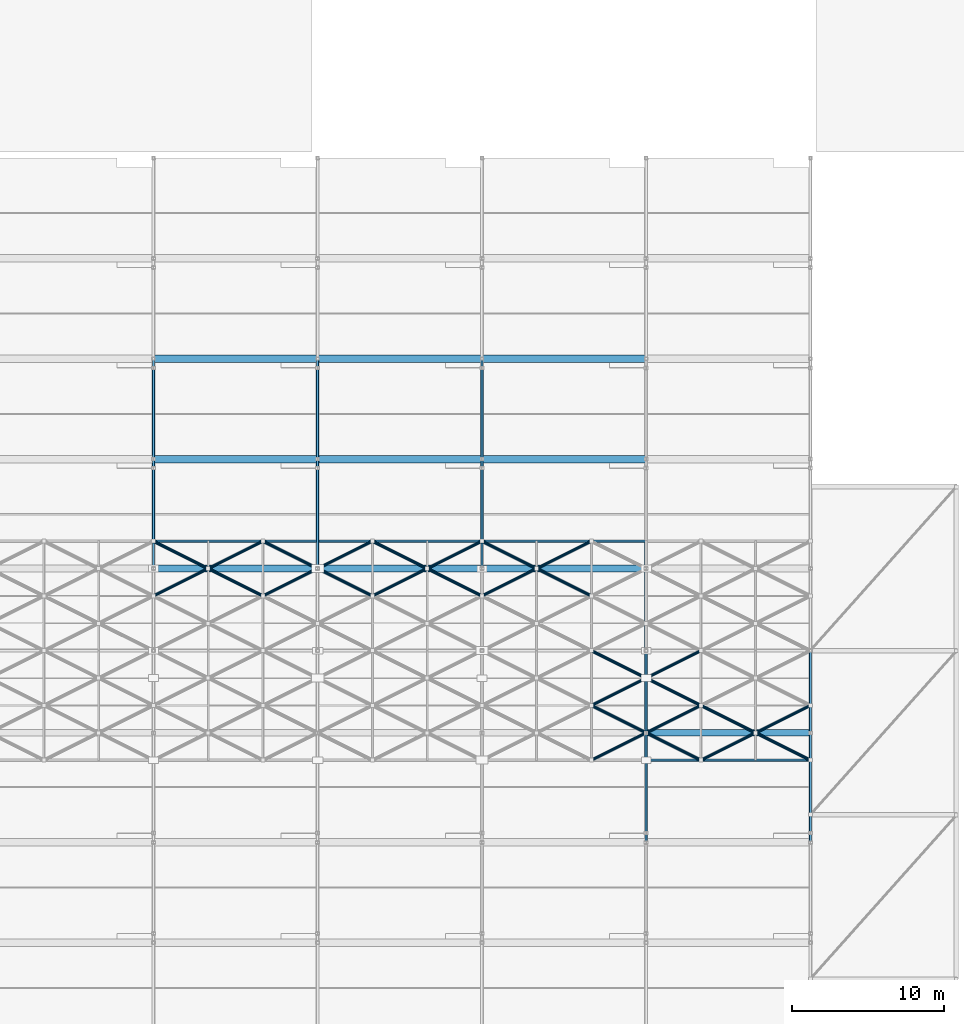
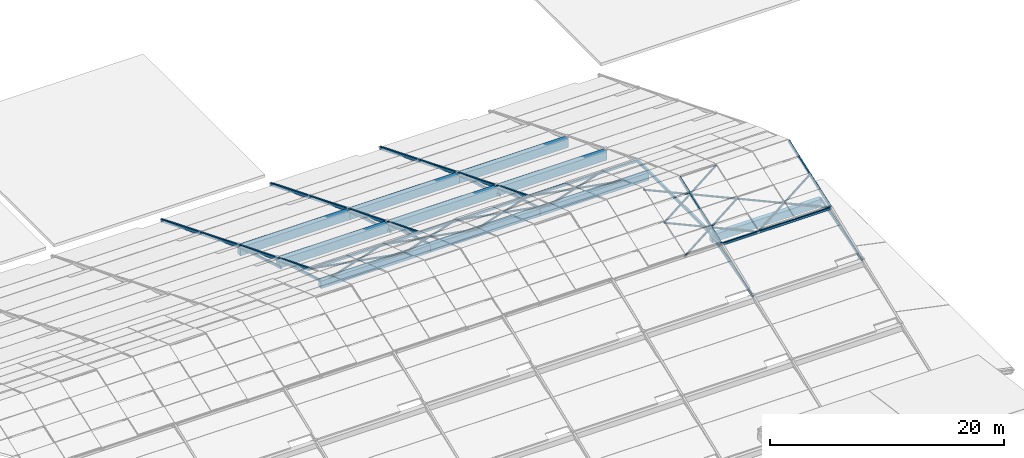
# One storey, part 63 of 112: 46 members, 10 beams.
"""IFC4 building model written with IfcOpenShell, lengths in metres."""

from ifc_helpers import new_model, si_unit, direction, frame, origin, origin_2d, place, context, subcontext, project, spatial, rectangle, hollow_rectangle, hollow_circle, extrude, material, material_profile, profile_set, type_object, element, save


model = new_model("IFC4")

# Units and contexts
model_context = context("Model", 3, precision=1e-05, world=origin(), true_north=direction((0.0, 1.0)))
body_context = subcontext(model_context, "Body", "Model", "MODEL_VIEW")
ifc_project = project(units=[si_unit("LENGTHUNIT", "METRE"), si_unit("AREAUNIT", "SQUARE_METRE"), si_unit("VOLUMEUNIT", "CUBIC_METRE"), si_unit("PLANEANGLEUNIT", "RADIAN"), si_unit("MASSUNIT", "GRAM", prefix="KILO")], contexts=[model_context])

# Site, building, storey
site_placement = place(None, origin())
site = spatial("IfcSite", under=ifc_project, at=site_placement, CompositionType="ELEMENT")
building_placement = place(site_placement, origin())
building = spatial("IfcBuilding", under=site, at=building_placement, Name="Zwinboog Wholesale Market", CompositionType="ELEMENT")
storey_placement = place(building_placement, frame((0.0, 0.0, 19.080078125)))
storey = spatial("IfcBuildingStorey", under=building, at=storey_placement, Name="Roof", CompositionType="ELEMENT", Elevation=19.080078125)

# Beams
ifc_material_1 = material(Name="Precast concrete C45/55", Category="concrete")
ifc_material_profile_1 = material_profile(ifc_material_1, rectangle(XDim=0.5, YDim=0.89990234375, at=origin_2d()), Name="PC 500x900")
ifc_profile_set_1 = profile_set([ifc_material_profile_1], Name="Precast concrete C45/55")
beam_type_1 = type_object("IfcBeamType", Name="BT-06", PredefinedType="BEAM", material=ifc_profile_set_1)
for number, where, z_axis, x_axis, name in (
    (1, (129.60009765625, 94.800048828125, -4.716064453125), (1.0, 0.0, 0.0), (0.0, 1.0, 0.0), "EB-01 (BMG-Roof-1296-0948-1117)"),
    (2, (129.60009765625, 88.199951171875, -2.031982421875), (1.0, 0.0, 0.0), (0.0, 1.0, 0.0), "EB-01 (BMG-Roof-1296-0882-1118)"),
):
    element("IfcBeam", number, at=place(storey_placement, frame(where, z_axis=z_axis, x_axis=x_axis)), inside=storey, type_object=beam_type_1, Name=name, PredefinedType="BEAM", context=body_context, shape_type="SweptSolid", body=[
        extrude(rectangle(XDim=0.5, YDim=0.89990234375, at=origin_2d()), origin(), (0.0, 0.0, 1.0), 10.7998046875),
    ])
for number, where, z_axis, x_axis, name in (
    (3, (140.39990234375, 94.800048828125, -4.716064453125), (1.0, 0.0, 0.0), (0.0, 1.0, 0.0), "EB-01 (BMG-Roof-1404-0948-1126)"),
    (4, (140.39990234375, 88.199951171875, -2.031982421875), (1.0, 0.0, 0.0), (0.0, 1.0, 0.0), "EB-01 (BMG-Roof-1404-0882-1127)"),
    (5, (151.199951171875, 94.800048828125, -4.716064453125), (1.0, 0.0, 0.0), (0.0, 1.0, 0.0), "EB-01 (BMG-Roof-1512-0948-1135)"),
    (6, (151.199951171875, 88.199951171875, -2.031982421875), (1.0, 0.0, 0.0), (0.0, 1.0, 0.0), "EB-01 (BMG-Roof-1512-0882-1136)"),
):
    element("IfcBeam", number, at=place(storey_placement, frame(where, z_axis=z_axis, x_axis=x_axis)), inside=storey, type_object=beam_type_1, Name=name, PredefinedType="BEAM", context=body_context, shape_type="SweptSolid", body=[
        extrude(rectangle(XDim=0.5, YDim=0.89990234375, at=origin_2d()), origin(), (0.0, 0.0, 1.0), 10.800048828125),
    ])
ifc_material_profile_2 = material_profile(ifc_material_1, rectangle(XDim=0.449951171875, YDim=0.800048828125, at=origin_2d()), Name="PC 450x800")
ifc_profile_set_2 = profile_set([ifc_material_profile_2], Name="Precast concrete C45/55")
beam_type_2 = type_object("IfcBeamType", Name="BT-07", PredefinedType="BEAM", material=ifc_profile_set_2)
beam_placement = place(storey_placement, frame((129.60009765625, 81.0, 0.16796875), z_axis=(1.0, 0.0, 0.0), x_axis=(0.0, 1.0, 0.0)))
element("IfcBeam", 7, at=beam_placement, inside=storey, type_object=beam_type_2, Name="EB-02 (BMG-Roof-1296-0810-1119)", PredefinedType="BEAM", context=body_context, shape_type="SweptSolid", body=[
    extrude(rectangle(XDim=0.449951171875, YDim=0.800048828125, at=origin_2d()), origin(), (0.0, 0.0, 1.0), 10.7998046875),
])
for number, where, z_axis, x_axis, name in (
    (8, (140.39990234375, 81.0, 0.16796875), (1.0, 0.0, 0.0), (0.0, 1.0, 0.0), "EB-02 (BMG-Roof-1404-0810-1128)"),
    (9, (151.199951171875, 81.0, 0.16796875), (1.0, 0.0, 0.0), (0.0, 1.0, 0.0), "EB-02 (BMG-Roof-1512-0810-1137)"),
    (10, (162.0, 70.199951171875, 0.16796875), (1.0, 0.0, 0.0), (0.0, 1.0, 0.0), "EB-02 (BMG-Roof-1620-0702-1142)"),
):
    element("IfcBeam", number, at=place(storey_placement, frame(where, z_axis=z_axis, x_axis=x_axis)), inside=storey, type_object=beam_type_2, Name=name, PredefinedType="BEAM", context=body_context, shape_type="SweptSolid", body=[
        extrude(rectangle(XDim=0.449951171875, YDim=0.800048828125, at=origin_2d()), origin(), (0.0, 0.0, 1.0), 10.800048828125),
    ])

# Members
ifc_material_2 = material(Name="Steel S355", Category="steel")
ifc_material_profile_3 = material_profile(ifc_material_2, hollow_rectangle(XDim=0.199951171875, YDim=0.300048828125, WallThickness=0.012451171875, InnerFilletRadius=0.012451171875, OuterFilletRadius=0.02490234375, at=origin_2d()), Name="RHS 300x200x12.5")
ifc_profile_set_3 = profile_set([ifc_material_profile_3], Name="Steel S355")
member_type_1 = type_object("IfcMemberType", Name="MT-01", PredefinedType="CHORD", material=ifc_profile_set_3)
for number, where, z_axis, x_axis, name in (
    (11, (129.60009765625, 108.0, -9.580078125), (0.0, -0.926947185036, 0.375191839135), (1.0, 0.0, 0.0), "DC-01 (MEM-Roof-0194)"),
    (12, (140.39990234375, 108.0, -9.580078125), (0.0, -0.926947185036, 0.375191839135), (1.0, 0.0, 0.0), "DC-01 (MEM-Roof-0224)"),
    (13, (151.199951171875, 108.0, -9.580078125), (0.0, -0.926947185036, 0.375191839135), (1.0, 0.0, 0.0), "DC-01 (MEM-Roof-0254)"),
):
    element("IfcMember", number, at=place(storey_placement, frame(where, z_axis=z_axis, x_axis=x_axis)), inside=storey, type_object=member_type_1, Name=name, PredefinedType="CHORD", context=body_context, shape_type="SweptSolid", body=[
        extrude(hollow_rectangle(XDim=0.199951171875, YDim=0.300048828125, WallThickness=0.012451171875, InnerFilletRadius=0.012451171875, OuterFilletRadius=0.02490234375, at=origin_2d()), origin(), (0.0, 0.0, 1.0), 27.18603515625),
    ])
member_1_placement = place(storey_placement, frame((162.0, 68.39990234375, 0.619873046875), z_axis=(0.0, 1.0, 0.0), x_axis=(-1.0, 0.0, 0.0)))
element("IfcMember", 14, at=member_1_placement, inside=storey, type_object=member_type_1, Name="DC-01 (MEM-Roof-0297)", PredefinedType="CHORD", context=body_context, shape_type="SweptSolid", body=[
    extrude(hollow_rectangle(XDim=0.199951171875, YDim=0.300048828125, WallThickness=0.012451171875, InnerFilletRadius=0.012451171875, OuterFilletRadius=0.02490234375, at=origin_2d()), origin(), (0.0, 0.0, 1.0), 14.400146484375),
])
ifc_material_profile_4 = material_profile(ifc_material_2, hollow_rectangle(XDim=0.14990234375, YDim=0.25, WallThickness=0.010009765625, InnerFilletRadius=0.010009765625, OuterFilletRadius=0.02001953125, at=origin_2d()), Name="RHS 250x150x10")
ifc_profile_set_4 = profile_set([ifc_material_profile_4], Name="Steel S355")
member_type_2 = type_object("IfcMemberType", Name="MT-02", PredefinedType="CHORD", material=ifc_profile_set_4)
for number, where, z_axis, x_axis, name in (
    (15, (129.60009765625, 94.800048828125, -4.300048828125), (0.0, -0.958194819429, 0.286116563694), (1.0, 0.0, 0.0), "DC-02 (MEM-Roof-0203)"),
    (16, (129.60009765625, 88.199951171875, -1.60009765625), (0.0, -0.958194819429, 0.286116563694), (1.0, 0.0, 0.0), "DC-02 (MEM-Roof-0206)"),
    (17, (140.39990234375, 94.800048828125, -4.300048828125), (0.0, -0.958194819429, 0.286116563694), (1.0, 0.0, 0.0), "DC-02 (MEM-Roof-0233)"),
    (18, (140.39990234375, 88.199951171875, -1.60009765625), (0.0, -0.958194819429, 0.286116563694), (1.0, 0.0, 0.0), "DC-02 (MEM-Roof-0236)"),
    (19, (151.199951171875, 94.800048828125, -4.300048828125), (0.0, -0.958194819429, 0.286116563694), (1.0, 0.0, 0.0), "DC-02 (MEM-Roof-0263)"),
    (20, (151.199951171875, 88.199951171875, -1.60009765625), (0.0, -0.958194819429, 0.286116563694), (1.0, 0.0, 0.0), "DC-02 (MEM-Roof-0266)"),
    (21, (162.0, 63.0, -1.60009765625), (0.0, 0.958194819429, 0.286116563694), (-1.0, 0.0, 0.0), "DC-02 (MEM-Roof-0283)"),
):
    element("IfcMember", number, at=place(storey_placement, frame(where, z_axis=z_axis, x_axis=x_axis)), inside=storey, type_object=member_type_2, Name=name, PredefinedType="CHORD", context=body_context, shape_type="SweptSolid", body=[
        extrude(hollow_rectangle(XDim=0.14990234375, YDim=0.25, WallThickness=0.010009765625, InnerFilletRadius=0.010009765625, OuterFilletRadius=0.02001953125, at=origin_2d()), origin(), (0.0, 0.0, 1.0), 7.51416015625),
    ])
member_2_placement = place(storey_placement, frame((162.0, 68.39990234375, 0.619873046875), z_axis=(0.0, 0.940552767691, 0.339647598532), x_axis=(-1.0, 0.0, 0.0)))
element("IfcMember", 22, at=member_2_placement, inside=storey, type_object=member_type_2, Name="DC-02 (MEM-Roof-0299)", PredefinedType="CHORD", context=body_context, shape_type="SweptSolid", body=[
    extrude(hollow_rectangle(XDim=0.14990234375, YDim=0.25, WallThickness=0.010009765625, InnerFilletRadius=0.010009765625, OuterFilletRadius=0.02001953125, at=origin_2d()), origin(), (0.0, 0.0, 1.0), 7.6552734375),
])
member_3_placement = place(storey_placement, frame((172.800048828125, 63.0, -1.60009765625), z_axis=(0.0, 0.958194819429, 0.286116563694), x_axis=(-1.0, 0.0, 0.0)))
element("IfcMember", 23, at=member_3_placement, inside=storey, type_object=member_type_2, Name="DC-02 (MEM-Roof-0313)", PredefinedType="CHORD", context=body_context, shape_type="SweptSolid", body=[
    extrude(hollow_rectangle(XDim=0.14990234375, YDim=0.25, WallThickness=0.010009765625, InnerFilletRadius=0.010009765625, OuterFilletRadius=0.02001953125, at=origin_2d()), origin(), (0.0, 0.0, 1.0), 7.51416015625),
])
member_4_placement = place(storey_placement, frame((172.800048828125, 68.39990234375, 0.619873046875), z_axis=(0.0, 0.940552767691, 0.339647598532), x_axis=(-1.0, 0.0, 0.0)))
element("IfcMember", 24, at=member_4_placement, inside=storey, type_object=member_type_2, Name="DC-02 (MEM-Roof-0329)", PredefinedType="CHORD", context=body_context, shape_type="SweptSolid", body=[
    extrude(hollow_rectangle(XDim=0.14990234375, YDim=0.25, WallThickness=0.010009765625, InnerFilletRadius=0.010009765625, OuterFilletRadius=0.02001953125, at=origin_2d()), origin(), (0.0, 0.0, 1.0), 7.6552734375),
])
member_5_placement = place(storey_placement, frame((129.60009765625, 82.800048828125, 0.58984375), z_axis=(1.0, 0.0, 0.0), x_axis=(0.0, 1.0, 0.0)))
element("IfcMember", 25, at=member_5_placement, inside=storey, type_object=member_type_2, Name="DC-02 (MEM-Roof-0351)", PredefinedType="CHORD", context=body_context, shape_type="SweptSolid", body=[
    extrude(hollow_rectangle(XDim=0.14990234375, YDim=0.25, WallThickness=0.010009765625, InnerFilletRadius=0.010009765625, OuterFilletRadius=0.02001953125, at=origin_2d()), origin(), (0.0, 0.0, 1.0), 10.7998046875),
])
for number, where, z_axis, x_axis, name in (
    (26, (140.39990234375, 82.800048828125, 0.58984375), (1.0, 0.0, 0.0), (0.0, 1.0, 0.0), "DC-02 (MEM-Roof-0354)"),
    (27, (151.199951171875, 82.800048828125, 0.58984375), (1.0, 0.0, 0.0), (0.0, 1.0, 0.0), "DC-02 (MEM-Roof-0357)"),
    (28, (162.0, 68.39990234375, 0.58984375), (1.0, 0.0, 0.0), (0.0, 1.0, 0.0), "DC-02 (MEM-Roof-0359)"),
):
    element("IfcMember", number, at=place(storey_placement, frame(where, z_axis=z_axis, x_axis=x_axis)), inside=storey, type_object=member_type_2, Name=name, PredefinedType="CHORD", context=body_context, shape_type="SweptSolid", body=[
        extrude(hollow_rectangle(XDim=0.14990234375, YDim=0.25, WallThickness=0.010009765625, InnerFilletRadius=0.010009765625, OuterFilletRadius=0.02001953125, at=origin_2d()), origin(), (0.0, 0.0, 1.0), 10.800048828125),
    ])
ifc_material_profile_5 = material_profile(ifc_material_2, hollow_circle(Radius=0.096923828125, WallThickness=0.010009765625, at=origin_2d()), Name="CHS 193.7x10")
ifc_profile_set_5 = profile_set([ifc_material_profile_5], Name="Steel S355")
member_type_3 = type_object("IfcMemberType", Name="MT-06", PredefinedType="BRACE", material=ifc_profile_set_5)
for number, where, z_axis, x_axis, name in (
    (29, (129.60009765625, 79.199951171875, 1.905029296875), (0.883395607837, 0.441727759687, -0.156488933718), (-0.447237858884, 0.894415058897, 0.0), "DB-03 (MEM-Roof-0549)"),
    (30, (129.60009765625, 82.800048828125, 0.6298828125), (0.883403888637, -0.441731900368, 0.15643048852), (0.447237858884, 0.894415058897, 0.0), "DB-03 (MEM-Roof-0550)"),
):
    element("IfcMember", number, at=place(storey_placement, frame(where, z_axis=z_axis, x_axis=x_axis)), inside=storey, type_object=member_type_3, Name=name, PredefinedType="BRACE", context=body_context, shape_type="SweptSolid", body=[
        extrude(hollow_circle(Radius=0.096923828125, WallThickness=0.010009765625, at=origin_2d()), origin(), (0.0, 0.0, 1.0), 4.074951171875),
    ])
for number, where, z_axis, x_axis, name in (
    (31, (133.199951171875, 81.0, 1.267333984375), (0.883408764097, -0.441704382048, 0.156480651826), (0.4472135955, 0.894427191, 0.0), "DB-03 (MEM-Roof-0559)"),
    (32, (133.199951171875, 81.0, 1.267333984375), (0.883417044144, 0.441708522072, -0.156422209566), (-0.4472135955, 0.894427191, 0.0), "DB-03 (MEM-Roof-0560)"),
):
    element("IfcMember", number, at=place(storey_placement, frame(where, z_axis=z_axis, x_axis=x_axis)), inside=storey, type_object=member_type_3, Name=name, PredefinedType="BRACE", context=body_context, shape_type="SweptSolid", body=[
        extrude(hollow_circle(Radius=0.096923828125, WallThickness=0.010009765625, at=origin_2d()), origin(), (0.0, 0.0, 1.0), 4.0751953125),
    ])
for number, where, z_axis, x_axis, name in (
    (33, (136.800048828125, 79.199951171875, 1.905029296875), (0.883395607837, 0.441727759687, -0.156488933718), (-0.447237858884, 0.894415058897, 0.0), "DB-03 (MEM-Roof-0569)"),
    (34, (136.800048828125, 82.800048828125, 0.6298828125), (0.883403888637, -0.441731900368, 0.15643048852), (0.447237858884, 0.894415058897, 0.0), "DB-03 (MEM-Roof-0570)"),
):
    element("IfcMember", number, at=place(storey_placement, frame(where, z_axis=z_axis, x_axis=x_axis)), inside=storey, type_object=member_type_3, Name=name, PredefinedType="BRACE", context=body_context, shape_type="SweptSolid", body=[
        extrude(hollow_circle(Radius=0.096923828125, WallThickness=0.010009765625, at=origin_2d()), origin(), (0.0, 0.0, 1.0), 4.074951171875),
    ])
for number, where, z_axis, x_axis, name in (
    (35, (140.39990234375, 81.0, 1.267333984375), (0.883408764097, -0.441704382048, 0.156480651826), (0.4472135955, 0.894427191, 0.0), "DB-03 (MEM-Roof-0579)"),
    (36, (140.39990234375, 81.0, 1.267333984375), (0.883417044144, 0.441708522072, -0.156422209566), (-0.4472135955, 0.894427191, 0.0), "DB-03 (MEM-Roof-0580)"),
    (37, (144.0, 79.199951171875, 1.905029296875), (0.883408764097, 0.441704382048, -0.156480651826), (-0.4472135955, 0.894427191, 0.0), "DB-03 (MEM-Roof-0589)"),
    (38, (144.0, 82.800048828125, 0.6298828125), (0.883417044144, -0.441708522072, 0.156422209566), (0.4472135955, 0.894427191, 0.0), "DB-03 (MEM-Roof-0590)"),
):
    element("IfcMember", number, at=place(storey_placement, frame(where, z_axis=z_axis, x_axis=x_axis)), inside=storey, type_object=member_type_3, Name=name, PredefinedType="BRACE", context=body_context, shape_type="SweptSolid", body=[
        extrude(hollow_circle(Radius=0.096923828125, WallThickness=0.010009765625, at=origin_2d()), origin(), (0.0, 0.0, 1.0), 4.0751953125),
    ])
for number, where, z_axis, x_axis, name in (
    (39, (147.60009765625, 81.0, 1.267333984375), (0.883395607837, -0.441727759687, 0.156488933718), (0.447237858884, 0.894415058897, 0.0), "DB-03 (MEM-Roof-0599)"),
    (40, (147.60009765625, 81.0, 1.267333984375), (0.883403888637, 0.441731900368, -0.15643048852), (-0.447237858884, 0.894415058897, 0.0), "DB-03 (MEM-Roof-0600)"),
):
    element("IfcMember", number, at=place(storey_placement, frame(where, z_axis=z_axis, x_axis=x_axis)), inside=storey, type_object=member_type_3, Name=name, PredefinedType="BRACE", context=body_context, shape_type="SweptSolid", body=[
        extrude(hollow_circle(Radius=0.096923828125, WallThickness=0.010009765625, at=origin_2d()), origin(), (0.0, 0.0, 1.0), 4.074951171875),
    ])
for number, where, z_axis, x_axis, name in (
    (41, (151.199951171875, 79.199951171875, 1.905029296875), (0.883408764097, 0.441704382048, -0.156480651826), (-0.4472135955, 0.894427191, 0.0), "DB-03 (MEM-Roof-0609)"),
    (42, (151.199951171875, 82.800048828125, 0.6298828125), (0.883417044144, -0.441708522072, 0.156422209566), (0.4472135955, 0.894427191, 0.0), "DB-03 (MEM-Roof-0610)"),
):
    element("IfcMember", number, at=place(storey_placement, frame(where, z_axis=z_axis, x_axis=x_axis)), inside=storey, type_object=member_type_3, Name=name, PredefinedType="BRACE", context=body_context, shape_type="SweptSolid", body=[
        extrude(hollow_circle(Radius=0.096923828125, WallThickness=0.010009765625, at=origin_2d()), origin(), (0.0, 0.0, 1.0), 4.0751953125),
    ])
for number, where, z_axis, x_axis, name in (
    (43, (154.800048828125, 81.0, 1.267333984375), (0.883395607837, -0.441727759687, 0.156488933718), (0.447237858884, 0.894415058897, 0.0), "DB-03 (MEM-Roof-0619)"),
    (44, (154.800048828125, 81.0, 1.267333984375), (0.883403888637, 0.441731900368, -0.15643048852), (-0.447237858884, 0.894415058897, 0.0), "DB-03 (MEM-Roof-0620)"),
):
    element("IfcMember", number, at=place(storey_placement, frame(where, z_axis=z_axis, x_axis=x_axis)), inside=storey, type_object=member_type_3, Name=name, PredefinedType="BRACE", context=body_context, shape_type="SweptSolid", body=[
        extrude(hollow_circle(Radius=0.096923828125, WallThickness=0.010009765625, at=origin_2d()), origin(), (0.0, 0.0, 1.0), 4.074951171875),
    ])
for number, where, z_axis, x_axis, name in (
    (45, (158.39990234375, 68.39990234375, 0.6298828125), (0.883417044144, 0.441708522072, 0.156422209566), (-0.4472135955, 0.894427191, 0.0), "DB-03 (MEM-Roof-0623)"),
    (46, (158.39990234375, 72.0, 1.905029296875), (0.883408764097, -0.441704382048, -0.156480651826), (0.4472135955, 0.894427191, 0.0), "DB-03 (MEM-Roof-0624)"),
    (47, (158.39990234375, 72.0, 1.905029296875), (0.883417044144, 0.441708522072, 0.156422209566), (-0.4472135955, 0.894427191, 0.0), "DB-03 (MEM-Roof-0625)"),
    (48, (158.39990234375, 75.60009765625, 3.179931640625), (0.883417044144, -0.441708522072, -0.156422209566), (0.4472135955, 0.894427191, 0.0), "DB-03 (MEM-Roof-0626)"),
    (49, (162.0, 70.199951171875, 1.267333984375), (0.883417044144, -0.441708522072, -0.156422209566), (0.4472135955, 0.894427191, 0.0), "DB-03 (MEM-Roof-0633)"),
    (50, (162.0, 70.199951171875, 1.267333984375), (0.883408764097, 0.441704382048, 0.156480651826), (-0.4472135955, 0.894427191, 0.0), "DB-03 (MEM-Roof-0634)"),
    (51, (162.0, 73.800048828125, 2.54248046875), (0.883417044144, -0.441708522072, -0.156422209566), (0.4472135955, 0.894427191, 0.0), "DB-03 (MEM-Roof-0635)"),
    (52, (162.0, 73.800048828125, 2.54248046875), (0.883417044144, 0.441708522072, 0.156422209566), (-0.4472135955, 0.894427191, 0.0), "DB-03 (MEM-Roof-0636)"),
):
    element("IfcMember", number, at=place(storey_placement, frame(where, z_axis=z_axis, x_axis=x_axis)), inside=storey, type_object=member_type_3, Name=name, PredefinedType="BRACE", context=body_context, shape_type="SweptSolid", body=[
        extrude(hollow_circle(Radius=0.096923828125, WallThickness=0.010009765625, at=origin_2d()), origin(), (0.0, 0.0, 1.0), 4.0751953125),
    ])
for number, where, z_axis, x_axis, name in (
    (53, (165.60009765625, 68.39990234375, 0.6298828125), (0.883403888637, 0.441731900368, 0.15643048852), (-0.447237858884, 0.894415058897, 0.0), "DB-03 (MEM-Roof-0643)"),
    (54, (165.60009765625, 72.0, 1.905029296875), (0.883395607837, -0.441727759687, -0.156488933718), (0.447237858884, 0.894415058897, 0.0), "DB-03 (MEM-Roof-0644)"),
):
    element("IfcMember", number, at=place(storey_placement, frame(where, z_axis=z_axis, x_axis=x_axis)), inside=storey, type_object=member_type_3, Name=name, PredefinedType="BRACE", context=body_context, shape_type="SweptSolid", body=[
        extrude(hollow_circle(Radius=0.096923828125, WallThickness=0.010009765625, at=origin_2d()), origin(), (0.0, 0.0, 1.0), 4.074951171875),
    ])
for number, where, z_axis, x_axis, name in (
    (55, (169.199951171875, 70.199951171875, 1.267333984375), (0.883417044144, -0.441708522072, -0.156422209566), (0.4472135955, 0.894427191, 0.0), "DB-03 (MEM-Roof-0653)"),
    (56, (169.199951171875, 70.199951171875, 1.267333984375), (0.883408764097, 0.441704382048, 0.156480651826), (-0.4472135955, 0.894427191, 0.0), "DB-03 (MEM-Roof-0654)"),
):
    element("IfcMember", number, at=place(storey_placement, frame(where, z_axis=z_axis, x_axis=x_axis)), inside=storey, type_object=member_type_3, Name=name, PredefinedType="BRACE", context=body_context, shape_type="SweptSolid", body=[
        extrude(hollow_circle(Radius=0.096923828125, WallThickness=0.010009765625, at=origin_2d()), origin(), (0.0, 0.0, 1.0), 4.0751953125),
    ])

save(model, "model.ifc")
